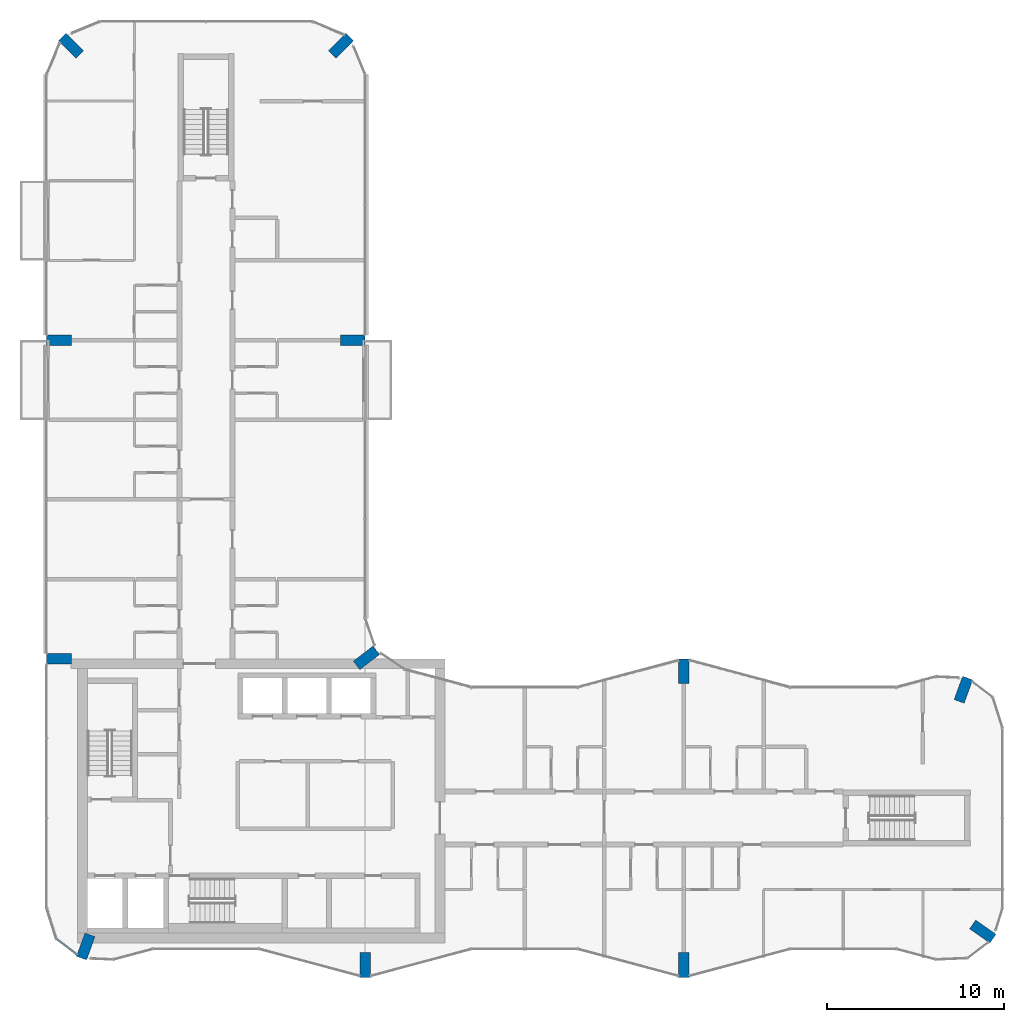
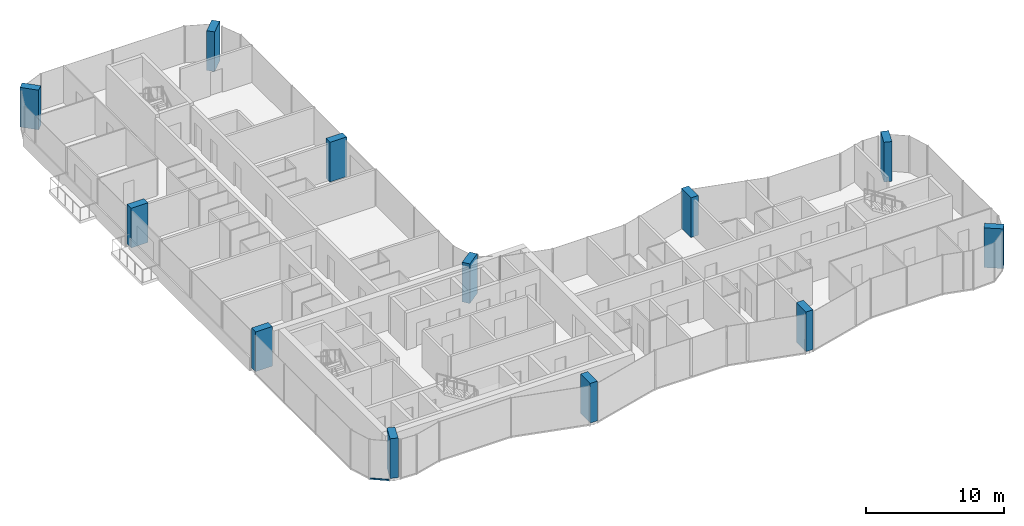
# One storey, part 1 of 15: 12 columns, 1 member, 1 element without a shape of its own.
"""IFC4 building model written with IfcOpenShell, lengths in metres."""

from ifc_helpers import new_model, si_unit, direction, frame, origin, origin_2d, place, context, subcontext, project, spatial, rectangle, extrude, material, layer, layer_set, material_profile, profile_set, type_object, element, aggregate, save


model = new_model("IFC4")

# Units and contexts
model_context = context("Model", 3, precision=1e-05, world=origin(), true_north=direction((0.0, 1.0)))
body_context = subcontext(model_context, "Body", "Model", "MODEL_VIEW")
ifc_project = project(units=[si_unit("LENGTHUNIT", "METRE"), si_unit("AREAUNIT", "SQUARE_METRE"), si_unit("VOLUMEUNIT", "CUBIC_METRE"), si_unit("PLANEANGLEUNIT", "RADIAN"), si_unit("MASSUNIT", "GRAM", prefix="KILO")], contexts=[model_context])

# Site, building, storey
site_placement = place(None, origin())
site = spatial("IfcSite", under=ifc_project, at=site_placement, CompositionType="ELEMENT")
building_placement = place(site_placement, origin())
building = spatial("IfcBuilding", under=site, at=building_placement, Name="Plateau Cross Towers", CompositionType="ELEMENT")
storey_placement = place(building_placement, frame((0.0, 0.0, 197.89990234375)))
storey = spatial("IfcBuildingStorey", under=building, at=storey_placement, Name="L51", CompositionType="ELEMENT", Elevation=197.89990234375)

# Columns
ifc_material_1 = material(Name="Concrete C60/75", Category="concrete")
ifc_material_profile_1 = material_profile(ifc_material_1, rectangle(XDim=0.60009765625, YDim=1.39990234375, at=origin_2d()), Name="RC 600x1400")
ifc_profile_set_1 = profile_set([ifc_material_profile_1], Name="Concrete C60/75")
column_type = type_object("IfcColumnType", Name="Fin pier column RC 600x1400", PredefinedType="COLUMN", material=ifc_profile_set_1)
for number, where, z_axis, x_axis, name in (
    (1, (18.0, 0.699951171875, 0.0), (0.0, 0.0, 1.0), (1.0, 0.0, 0.0), "PR1 L51"),
    (2, (36.0, 0.699951171875, 0.0), (0.0, 0.0, 1.0), (1.0, 0.0, 0.0), "PR2 L51"),
    (3, (52.884033203125, 2.590087890625, 0.0), (0.0, 0.0, 1.0), (0.573542637991, 0.819175709117, 0.0), "PR3 L51"),
    (4, (51.786865234375, 16.251953125, 0.0), (0.0, 0.0, 1.0), (-0.939664280925, 0.342097996418, 0.0), "PR4 L51"),
    (5, (36.0, 17.300048828125, 0.0), (0.0, 0.0, 1.0), (1.0, 0.0, 0.0), "PR5 L51"),
    (6, (18.064697265625, 18.049560546875, 0.0), (0.0, 0.0, 1.0), (-0.608810846443, 0.793315418515, 0.0), "PR6 L51"),
    (7, (17.300048828125, 36.0, 0.0), (0.0, 0.0, 1.0), (0.0, 1.0, 0.0), "PR7 L51"),
    (8, (16.62646484375, 52.62646484375, 0.0), (0.0, 0.0, 1.0), (-0.707106781187, 0.707106781187, 0.0), "PR8 L51"),
    (9, (1.37353515625, 52.62646484375, 0.0), (0.0, 0.0, 1.0), (0.707106781187, 0.707106781187, 0.0), "PR9 L51"),
    (10, (0.699951171875, 36.0, 0.0), (0.0, 0.0, 1.0), (0.0, 1.0, 0.0), "PR10 L51"),
    (11, (0.699951171875, 18.0, 0.0), (0.0, 0.0, 1.0), (0.0, 1.0, 0.0), "PR11 L51"),
    (12, (2.213134765625, 1.748046875, 0.0), (0.0, 0.0, 1.0), (-0.939664280925, 0.342097996418, 0.0), "PR12 L51"),
):
    element("IfcColumn", number, at=place(storey_placement, frame(where, z_axis=z_axis, x_axis=x_axis)), inside=storey, type_object=column_type, Name=name, PredefinedType="COLUMN", context=body_context, shape_type="SweptSolid", body=[
        extrude(rectangle(XDim=0.60009765625, YDim=1.39990234375, at=origin_2d()), origin(), (0.0, 0.0, 1.0), 3.5),
    ])

# Curtain wall, member
ifc_material_2 = material(Name="Dark low-iron glass", Category="glass")
ifc_layer = layer(ifc_material_2, 0.239990234375)
ifc_layer_set = layer_set([ifc_layer], Name="Dark low-iron glass")
curtain_wall_type = type_object("IfcCurtainWallType", Name="Curtain wall flush unitised CW-B", PredefinedType="NOTDEFINED", material=ifc_layer_set)
curtain_wall_placement = place(storey_placement, origin())
curtain_wall = element("IfcCurtainWall", 13, at=curtain_wall_placement, inside=storey, type_object=curtain_wall_type, Name="ENV/A/L51/A5_22", PredefinedType="NOTDEFINED")
ifc_material_3 = material(Name="Black anodised aluminium", Category="aluminium")
ifc_material_profile_2 = material_profile(ifc_material_3, rectangle(XDim=0.10009765625, YDim=0.1201171875, at=origin_2d()), Name="TRANSOM 100x120")
ifc_profile_set_2 = profile_set([ifc_material_profile_2], Name="Black anodised aluminium")
member_type = type_object("IfcMemberType", Name="Transom 100x120 flush unitised", PredefinedType="USERDEFINED", material=ifc_profile_set_2)
member_placement = place(storey_placement, frame((0.54248046875, 2.1884765625, -0.18994140625), z_axis=(0.793320508571, -0.608804213751, 0.0), x_axis=(0.608804213751, 0.793320508571, 0.0)))
member = element("IfcMember", 14, at=member_placement, type_object=member_type, Name="CW-B transom", ObjectType="TRANSOM", PredefinedType="USERDEFINED", context=body_context, shape_type="SweptSolid", body=[
    extrude(rectangle(XDim=0.10009765625, YDim=0.1201171875, at=origin_2d()), origin(), (0.0, 0.0, 1.0), 1.471435546875),
])
aggregate(curtain_wall, [member])

save(model, "model.ifc")
